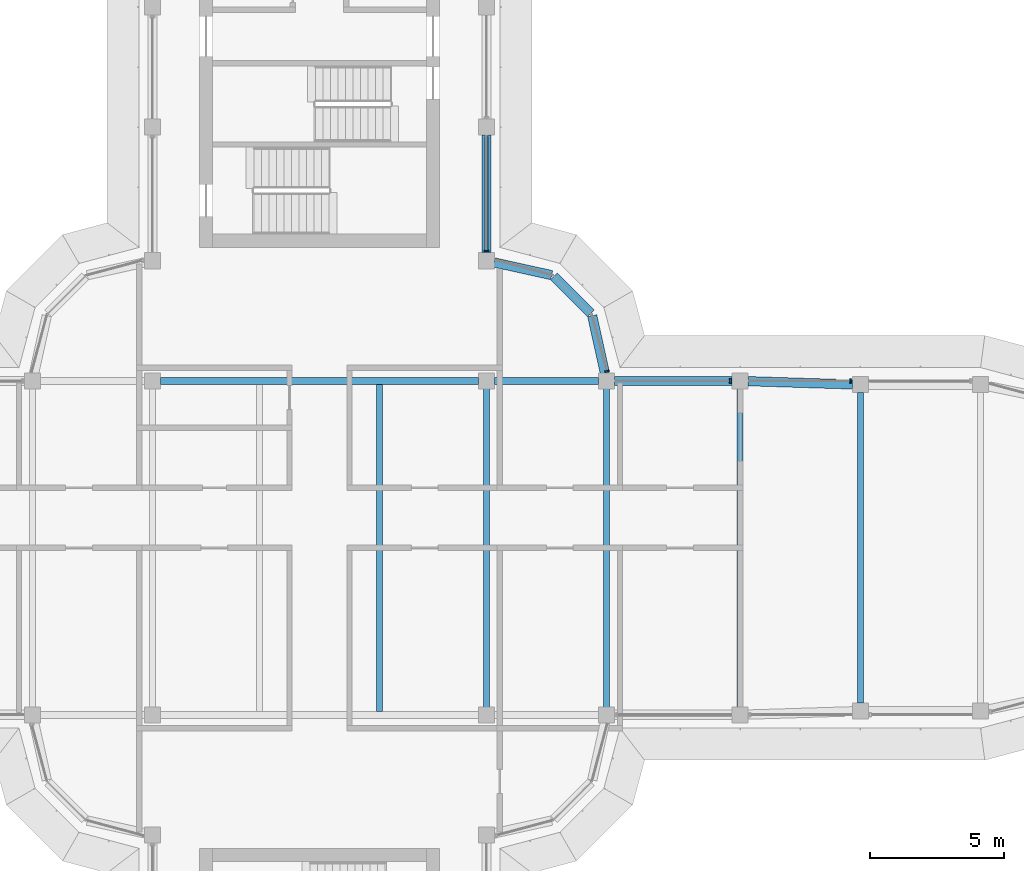
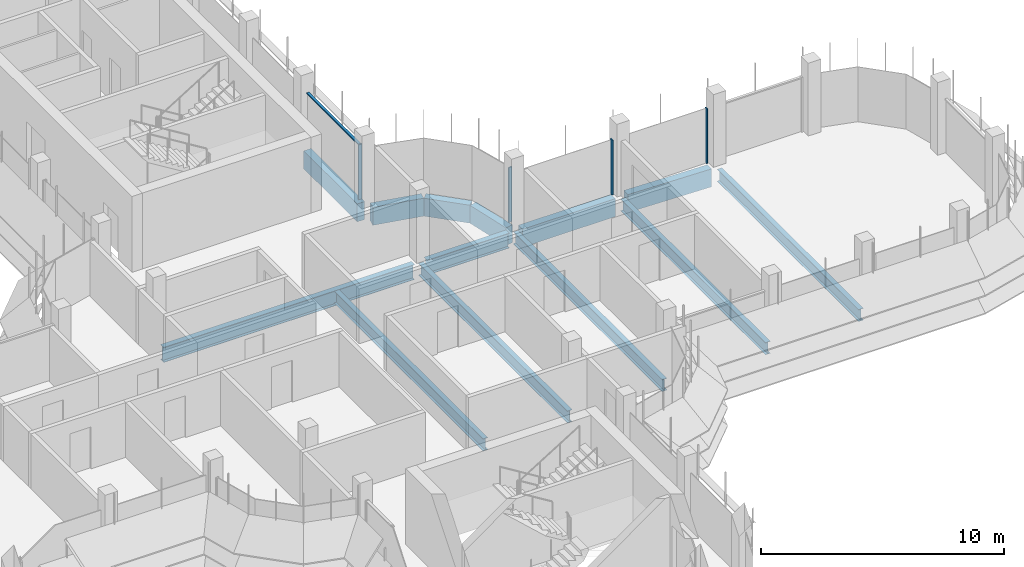
# One storey, part 8 of 19: 13 beams, 5 members, 3 elements without a shape of their own.
"""IFC4 building model written with IfcOpenShell, lengths in metres."""

from ifc_helpers import new_model, si_unit, direction, frame, origin, origin_2d, place, context, subcontext, project, spatial, polyline, rectangle, i_section, outline, extrude, source, transform, mapped, material, material_profile, profile_set, type_object, element, aggregate, save


model = new_model("IFC4")

# Units and contexts
model_context = context("Model", 3, precision=1e-05, world=origin(), true_north=direction((0.0, 1.0)))
body_context = subcontext(model_context, "Body", "Model", "MODEL_VIEW")
ifc_project = project(units=[si_unit("LENGTHUNIT", "METRE"), si_unit("AREAUNIT", "SQUARE_METRE"), si_unit("VOLUMEUNIT", "CUBIC_METRE"), si_unit("PLANEANGLEUNIT", "RADIAN"), si_unit("MASSUNIT", "GRAM", prefix="KILO")], contexts=[model_context])

# Site, building, storey
site_placement = place(None, origin())
site = spatial("IfcSite", under=ifc_project, at=site_placement, CompositionType="ELEMENT")
building_placement = place(site_placement, origin())
building = spatial("IfcBuilding", under=site, at=building_placement, Name="Zarbagh Exchange Tower", CompositionType="ELEMENT")
storey_placement = place(building_placement, frame((0.0, 0.0, 253.60009765625)))
storey = spatial("IfcBuildingStorey", under=building, at=storey_placement, Name="L62", CompositionType="ELEMENT", Elevation=253.60009765625)

# Beams
ifc_material_1 = material(Name="Steel ASTM A992 Gr 50", Category="steel")
ifc_material_profile_1 = material_profile(ifc_material_1, i_section(OverallWidth=0.228271484375, OverallDepth=0.607177734375, WebThickness=0.01123046875, FlangeThickness=0.017333984375, at=origin_2d()), Name="W24X76")
ifc_profile_set_1 = profile_set([ifc_material_profile_1], Name="Steel ASTM A992 Gr 50")
beam_type_1 = type_object("IfcBeamType", Name="Floor beam W24X76", PredefinedType="BEAM", material=ifc_profile_set_1)
for number, where, z_axis, x_axis, name in (
    (1, (2.25, -6.11669921875, -0.45361328125), (0.0, 1.0, 0.0), (-1.0, 0.0, 0.0), "Steel floor beam"),
    (2, (6.25, -6.11669921875, -0.45361328125), (0.0, 1.0, 0.0), (-1.0, 0.0, 0.0), "Steel floor beam"),
    (3, (10.75, -6.11669921875, -0.45361328125), (0.0, 1.0, 0.0), (-1.0, 0.0, 0.0), "Steel floor beam"),
):
    element("IfcBeam", number, at=place(storey_placement, frame(where, z_axis=z_axis, x_axis=x_axis)), inside=storey, type_object=beam_type_1, Name=name, PredefinedType="BEAM", context=body_context, shape_type="SweptSolid", body=[
        extrude(i_section(OverallWidth=0.228271484375, OverallDepth=0.607177734375, WebThickness=0.01123046875, FlangeThickness=0.017333984375, at=origin_2d()), origin(), (0.0, 0.0, 1.0), 12.2333984375),
    ])
beam_1_placement = place(storey_placement, frame((15.75, -5.949951171875, -0.45361328125), z_axis=(0.0, 1.0, 0.0), x_axis=(-1.0, 0.0, 0.0)))
element("IfcBeam", 4, at=beam_1_placement, inside=storey, type_object=beam_type_1, Name="Steel floor beam", PredefinedType="BEAM", context=body_context, shape_type="SweptSolid", body=[
    extrude(i_section(OverallWidth=0.228271484375, OverallDepth=0.607177734375, WebThickness=0.01123046875, FlangeThickness=0.017333984375, at=origin_2d()), origin(), (0.0, 0.0, 1.0), 11.89990234375),
])
beam_2_placement = place(storey_placement, frame((20.25, -5.81005859375, -0.45361328125), z_axis=(0.0, 1.0, 0.0), x_axis=(-1.0, 0.0, 0.0)))
element("IfcBeam", 5, at=beam_2_placement, inside=storey, type_object=beam_type_1, Name="Steel floor beam", PredefinedType="BEAM", context=body_context, shape_type="SweptSolid", body=[
    extrude(i_section(OverallWidth=0.228271484375, OverallDepth=0.607177734375, WebThickness=0.01123046875, FlangeThickness=0.017333984375, at=origin_2d()), origin(), (0.0, 0.0, 1.0), 11.6201171875),
])
ifc_material_profile_2 = material_profile(ifc_material_1, i_section(OverallWidth=0.2666015625, OverallDepth=0.7568359375, WebThickness=0.013916015625, FlangeThickness=0.019287109375, at=origin_2d()), Name="W30X108")
ifc_profile_set_2 = profile_set([ifc_material_profile_2], Name="Steel ASTM A992 Gr 50")
beam_type_2 = type_object("IfcBeamType", Name="Floor girder W30X108", PredefinedType="BEAM", material=ifc_profile_set_2)
beam_3_placement = place(storey_placement, frame((-5.949951171875, 6.25, -0.528564453125), z_axis=(1.0, 0.0, 0.0), x_axis=(0.0, 1.0, 0.0)))
element("IfcBeam", 6, at=beam_3_placement, inside=storey, type_object=beam_type_2, Name="Steel girder", PredefinedType="BEAM", context=body_context, shape_type="SweptSolid", body=[
    extrude(i_section(OverallWidth=0.2666015625, OverallDepth=0.7568359375, WebThickness=0.013916015625, FlangeThickness=0.019287109375, at=origin_2d()), origin(), (0.0, 0.0, 1.0), 11.89990234375),
])
beam_4_placement = place(storey_placement, frame((6.550048828125, 6.25, -0.528564453125), z_axis=(1.0, 0.0, 0.0), x_axis=(0.0, 1.0, 0.0)))
element("IfcBeam", 7, at=beam_4_placement, inside=storey, type_object=beam_type_2, Name="Steel girder", PredefinedType="BEAM", context=body_context, shape_type="SweptSolid", body=[
    extrude(i_section(OverallWidth=0.2666015625, OverallDepth=0.7568359375, WebThickness=0.013916015625, FlangeThickness=0.019287109375, at=origin_2d()), origin(), (0.0, 0.0, 1.0), 3.89990234375),
])
ifc_material_2 = material(Name="Concrete C40/50", Category="concrete")
ifc_material_profile_3 = material_profile(ifc_material_2, rectangle(XDim=0.35009765625, YDim=0.89990234375, at=origin_2d()), Name="RC spandrel beam 350 x 900 C40/50")
ifc_profile_set_3 = profile_set([ifc_material_profile_3], Name="Concrete C40/50")
beam_type_3 = type_object("IfcBeamType", Name="RC spandrel beam 350 x 900 C40/50", PredefinedType="SPANDREL", material=ifc_profile_set_3)
beam_5_placement = place(storey_placement, frame((6.25, 15.449951171875, -0.60009765625), z_axis=(0.0, -1.0, 0.0), x_axis=(1.0, 0.0, 0.0)))
element("IfcBeam", 8, at=beam_5_placement, inside=storey, type_object=beam_type_3, Name="RC spandrel beam", PredefinedType="SPANDREL", context=body_context, shape_type="SweptSolid", body=[
    extrude(rectangle(XDim=0.35009765625, YDim=0.89990234375, at=origin_2d()), origin(), (0.0, 0.0, 1.0), 4.39990234375),
])
beam_6_placement = place(storey_placement, frame((6.54296875, 10.685302734375, -0.60009765625), z_axis=(0.976387662047, -0.216025770228, 0.0), x_axis=(0.216025770228, 0.976387662047, 0.0)))
element("IfcBeam", 9, at=beam_6_placement, inside=storey, type_object=beam_type_3, Name="RC spandrel beam", PredefinedType="SPANDREL", context=body_context, shape_type="SweptSolid", body=[
    extrude(rectangle(XDim=0.35009765625, YDim=0.89990234375, at=origin_2d()), origin(), (0.0, 0.0, 1.0), 2.200439453125),
])
beam_7_placement = place(storey_placement, frame((8.77734375, 10.16259765625, -0.60009765625), z_axis=(0.707106781187, -0.707106781187, 0.0), x_axis=(0.707106781187, 0.707106781187, 0.0)))
element("IfcBeam", 10, at=beam_7_placement, inside=storey, type_object=beam_type_3, Name="RC spandrel beam", PredefinedType="SPANDREL", context=body_context, shape_type="SweptSolid", body=[
    extrude(rectangle(XDim=0.35009765625, YDim=0.89990234375, at=origin_2d()), origin(), (0.0, 0.0, 1.0), 1.958984375),
])
beam_8_placement = place(storey_placement, frame((10.2099609375, 8.69140625, -0.60009765625), z_axis=(0.216025770228, -0.976387662047, 0.0), x_axis=(0.976387662047, 0.216025770228, 0.0)))
element("IfcBeam", 11, at=beam_8_placement, inside=storey, type_object=beam_type_3, Name="RC spandrel beam", PredefinedType="SPANDREL", context=body_context, shape_type="SweptSolid", body=[
    extrude(rectangle(XDim=0.35009765625, YDim=0.89990234375, at=origin_2d()), origin(), (0.0, 0.0, 1.0), 2.200439453125),
])
beam_9_placement = place(storey_placement, frame((11.050048828125, 6.25, -0.60009765625), z_axis=(1.0, 0.0, 0.0), x_axis=(0.0, 1.0, 0.0)))
element("IfcBeam", 12, at=beam_9_placement, inside=storey, type_object=beam_type_3, Name="RC spandrel beam", PredefinedType="SPANDREL", context=body_context, shape_type="SweptSolid", body=[
    extrude(rectangle(XDim=0.35009765625, YDim=0.89990234375, at=origin_2d()), origin(), (0.0, 0.0, 1.0), 4.39990234375),
])
beam_10_placement = place(storey_placement, frame((16.0498046875, 6.24072265625, -0.60009765625), z_axis=(0.999516460907, -0.031094121249, 0.0), x_axis=(0.031094121249, 0.999516460907, 0.0)))
element("IfcBeam", 13, at=beam_10_placement, inside=storey, type_object=beam_type_3, Name="RC spandrel beam", PredefinedType="SPANDREL", context=body_context, shape_type="SweptSolid", body=[
    extrude(rectangle(XDim=0.35009765625, YDim=0.89990234375, at=origin_2d()), origin(), (0.0, 0.0, 1.0), 3.90234375),
])

# Curtain wall, members
ifc_material_3 = material(Name="Anodised aluminium frame and glazing", Category="aluminium")
curtain_wall_type = type_object("IfcCurtainWallType", Name="CWB Ribbon glazing, upper zones", PredefinedType="NOTDEFINED", material=ifc_material_3)
curtain_wall_1_placement = place(storey_placement, origin())
curtain_wall_1 = element("IfcCurtainWall", 14, at=curtain_wall_1_placement, inside=storey, type_object=curtain_wall_type, Name="CWB82 curtain wall", PredefinedType="NOTDEFINED")
ifc_material_4 = material(Name="Anodised aluminium frame", Category="aluminium")
member_type_1 = type_object("IfcMemberType", Name="MUB Mullion, anodised aluminium frame", PredefinedType="MULLION", material=ifc_material_4)
shared_shape_1 = source(origin(), body_context, "Body", "SweptSolid", [
    extrude(outline(polyline([(0.0, -0.080078125), (0.06005859375, -0.080078125), (0.06005859375, 0.080078125), (0.0, 0.080078125), (0.0, -0.080078125)])), origin(), (0.0, 0.0, 1.0), 2.75),
])
placement = place(storey_placement, origin())
member_1 = element("IfcMember", 15, at=placement, type_object=member_type_1, Name="CWB82 mullion 2.1", PredefinedType="MULLION", context=body_context, shape_type="MappedRepresentation", body=[
    mapped(shared_shape_1, transform((19.909912109375, 6.25, 0.0), x_axis=(-1.0, 0.0, 0.0), y_axis=(0.0, -1.0, 0.0), z_axis=(0.0, 0.0, 1.0))),
])
member_2 = element("IfcMember", 16, at=placement, type_object=member_type_1, Name="CWB82 mullion 3.1", PredefinedType="MULLION", context=body_context, shape_type="MappedRepresentation", body=[
    mapped(shared_shape_1, transform((15.409912109375, 6.25, 0.0), x_axis=(-1.0, 0.0, 0.0), y_axis=(0.0, -1.0, 0.0), z_axis=(0.0, 0.0, 1.0))),
])
aggregate(curtain_wall_1, [member_1, member_2])

# Curtain wall, member
curtain_wall_2_placement = place(storey_placement, origin())
curtain_wall_2 = element("IfcCurtainWall", 17, at=curtain_wall_2_placement, inside=storey, type_object=curtain_wall_type, Name="CWB17 curtain wall", PredefinedType="NOTDEFINED")
member_3 = element("IfcMember", 18, at=placement, type_object=member_type_1, Name="CWB17 mullion 1.1", PredefinedType="MULLION", context=body_context, shape_type="MappedRepresentation", body=[
    mapped(shared_shape_1, transform((10.775146484375, 6.590087890625, 0.0), x_axis=(-0.258824779902, 0.965924289636, 0.0), y_axis=(-0.965924289636, -0.258824779902, 0.0), z_axis=(0.0, 0.0, 1.0))),
])
aggregate(curtain_wall_2, [member_3])

# Curtain wall, members
curtain_wall_3_placement = place(storey_placement, origin())
curtain_wall_3 = element("IfcCurtainWall", 19, at=curtain_wall_3_placement, inside=storey, type_object=curtain_wall_type, Name="CWB67 curtain wall", PredefinedType="NOTDEFINED")
member_4 = element("IfcMember", 20, at=placement, type_object=member_type_1, Name="CWB67 mullion 1.1", PredefinedType="MULLION", context=body_context, shape_type="MappedRepresentation", body=[
    mapped(shared_shape_1, transform((6.25, 11.090087890625, 0.0), x_axis=(0.0, 1.0, 0.0), y_axis=(-1.0, 0.0, 0.0), z_axis=(0.0, 0.0, 1.0))),
])
member_type_2 = type_object("IfcMemberType", Name="TRB Transom, anodised aluminium frame", PredefinedType="USERDEFINED", material=ifc_material_4)
shared_shape_2 = source(origin(), body_context, "Body", "SweptSolid", [
    extrude(outline(polyline([(-0.06005859375, -0.06005859375), (0.0, -0.06005859375), (0.0, 0.06005859375), (-0.06005859375, 0.06005859375), (-0.06005859375, -0.06005859375)])), origin(), (0.0, 0.0, 1.0), 4.260009765625),
])
member_5 = element("IfcMember", 21, at=placement, type_object=member_type_2, Name="CWB67 transom 1.1", ObjectType="TRANSOM", PredefinedType="USERDEFINED", context=body_context, shape_type="MappedRepresentation", body=[
    mapped(shared_shape_2, transform((6.25, 11.150146484375, 2.75), x_axis=(0.0, 0.0, 1.0), y_axis=(1.0, 0.0, 0.0), z_axis=(0.0, 1.0, 0.0))),
])
aggregate(curtain_wall_3, [member_4, member_5])

save(model, "model.ifc")
